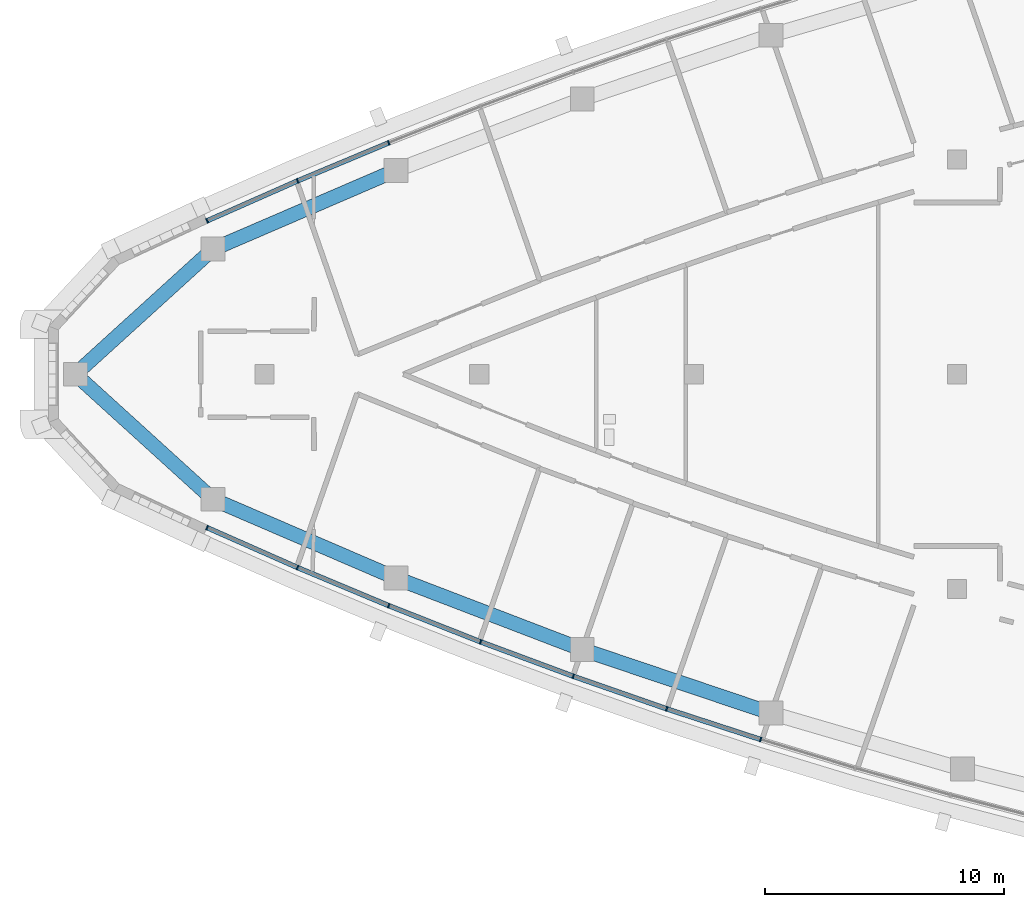
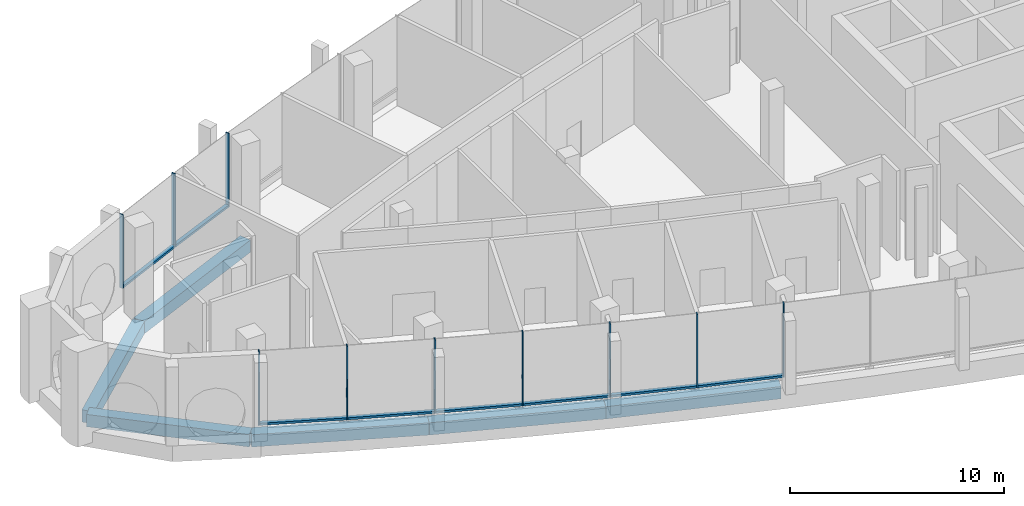
# One storey, part 2 of 15: 18 members, 6 beams, 5 elements without a shape of their own.
"""IFC4 building model written with IfcOpenShell, lengths in metres."""

from ifc_helpers import new_model, si_unit, direction, frame, origin, origin_2d, place, context, subcontext, project, spatial, rectangle, extrude, material, layer, layer_set, material_profile, profile_set, type_object, element, aggregate, save


model = new_model("IFC4")

# Units and contexts
model_context = context("Model", 3, precision=1e-05, world=origin(), true_north=direction((0.0, 1.0)))
body_context = subcontext(model_context, "Body", "Model", "MODEL_VIEW")
ifc_project = project(units=[si_unit("LENGTHUNIT", "METRE"), si_unit("AREAUNIT", "SQUARE_METRE"), si_unit("VOLUMEUNIT", "CUBIC_METRE"), si_unit("PLANEANGLEUNIT", "RADIAN"), si_unit("MASSUNIT", "GRAM", prefix="KILO")], contexts=[model_context])

# Site, building, storey
site_placement = place(None, origin())
site = spatial("IfcSite", under=ifc_project, at=site_placement, CompositionType="ELEMENT")
building_placement = place(site_placement, origin())
building = spatial("IfcBuilding", under=site, at=building_placement, Name="Ostrand Prow Hotel Tower", CompositionType="ELEMENT")
storey_placement = place(building_placement, frame((0.0, 0.0, 313.199951171875)))
storey = spatial("IfcBuildingStorey", under=building, at=storey_placement, Name="C2", CompositionType="ELEMENT", Elevation=313.199951171875)

# Beams
ifc_material_1 = material(Name="Concrete C40/50", Category="concrete")
ifc_material_profile_1 = material_profile(ifc_material_1, rectangle(XDim=0.60009765625, YDim=0.699951171875, at=origin_2d()), Name="RC 600x700")
ifc_profile_set_1 = profile_set([ifc_material_profile_1], Name="Concrete C40/50")
beam_type = type_object("IfcBeamType", Name="Edge beam 600x700 C40/50", PredefinedType="SPANDREL", material=ifc_profile_set_1)
beam_1_placement = place(storey_placement, frame((8.082763671875, 0.0, -0.64990234375), z_axis=(0.740124460758, -0.672469912032, 0.0), x_axis=(0.672469912032, 0.740124460758, 0.0)))
element("IfcBeam", 1, at=beam_1_placement, inside=storey, type_object=beam_type, Name="Edge beam P-S1", PredefinedType="SPANDREL", context=body_context, shape_type="SweptSolid", body=[
    extrude(rectangle(XDim=0.60009765625, YDim=0.699951171875, at=origin_2d()), origin(), (0.0, 0.0, 1.0), 7.787353515625),
])
for number, where, z_axis, x_axis, name in (
    (2, (13.846435546875, -5.23681640625, -0.64990234375), (0.918403788687, -0.39564438695, 0.0), (0.39564438695, 0.918403788687, 0.0), "Edge beam S1-S2"),
    (3, (21.51416015625, -8.5400390625, -0.64990234375), (0.933761753797, -0.357895218111, 0.0), (0.357895218111, 0.933761753797, 0.0), "Edge beam S2-S3"),
    (4, (29.31005859375, -11.528076171875, -0.64990234375), (0.947575089419, -0.319533174981, 0.0), (0.319533174981, 0.947575089419, 0.0), "Edge beam S3-S4"),
    (5, (21.51416015625, 8.5400390625, -0.64990234375), (-0.918403788687, -0.39564438695, 0.0), (0.39564438695, -0.918403788687, 0.0), "Edge beam N5-N6"),
):
    element("IfcBeam", number, at=place(storey_placement, frame(where, z_axis=z_axis, x_axis=x_axis)), inside=storey, type_object=beam_type, Name=name, PredefinedType="SPANDREL", context=body_context, shape_type="SweptSolid", body=[
        extrude(rectangle(XDim=0.60009765625, YDim=0.699951171875, at=origin_2d()), origin(), (0.0, 0.0, 1.0), 8.348876953125),
    ])
beam_2_placement = place(storey_placement, frame((13.846435546875, 5.23681640625, -0.64990234375), z_axis=(-0.740124460758, -0.672469912032, 0.0), x_axis=(0.672469912032, -0.740124460758, 0.0)))
element("IfcBeam", 6, at=beam_2_placement, inside=storey, type_object=beam_type, Name="Edge beam N6-P", PredefinedType="SPANDREL", context=body_context, shape_type="SweptSolid", body=[
    extrude(rectangle(XDim=0.60009765625, YDim=0.699951171875, at=origin_2d()), origin(), (0.0, 0.0, 1.0), 7.787353515625),
])

# Curtain wall, members
ifc_material_2 = material(Name="Insulated glass in bronze anodised frame", Category="glass")
ifc_layer = layer(ifc_material_2, 0.199951171875)
ifc_layer_set = layer_set([ifc_layer], Name="Insulated glass in bronze anodised frame")
curtain_wall_type = type_object("IfcCurtainWallType", Name="Observation and restaurant glazing wall", PredefinedType="NOTDEFINED", material=ifc_layer_set)
curtain_wall_1_placement = place(storey_placement, origin())
curtain_wall_1 = element("IfcCurtainWall", 7, at=curtain_wall_1_placement, inside=storey, type_object=curtain_wall_type, Name="CW6 run CWS1", PredefinedType="NOTDEFINED")
ifc_material_3 = material(Name="Bronze anodised aluminium", Category="aluminium")
ifc_material_profile_2 = material_profile(ifc_material_3, rectangle(XDim=0.199951171875, YDim=0.06005859375, at=origin_2d()), Name="Mullion 60x200 bronze anodised aluminium")
ifc_profile_set_2 = profile_set([ifc_material_profile_2], Name="Bronze anodised aluminium")
member_type_1 = type_object("IfcMemberType", Name="Mullion 60x200 bronze anodised aluminium", PredefinedType="MULLION", material=ifc_profile_set_2)
member_1_placement = place(storey_placement, frame((13.60009765625, -6.423583984375, 0.900146484375), z_axis=(0.0, 0.0, 1.0), x_axis=(0.403939694592, 0.914785615941, 0.0)))
member_1 = element("IfcMember", 8, at=member_1_placement, type_object=member_type_1, Name="CW6 mullion 1", PredefinedType="MULLION", context=body_context, shape_type="SweptSolid", body=[
    extrude(rectangle(XDim=0.199951171875, YDim=0.06005859375, at=origin_2d()), origin(), (0.0, 0.0, 1.0), 4.199951171875),
])
member_2_placement = place(storey_placement, frame((17.386962890625, -8.095947265625, 0.900146484375), z_axis=(0.0, 0.0, 1.0), x_axis=(0.385471263659, 0.922719840955, 0.0)))
member_2 = element("IfcMember", 9, at=member_2_placement, type_object=member_type_1, Name="CW6 mullion 2", PredefinedType="MULLION", context=body_context, shape_type="SweptSolid", body=[
    extrude(rectangle(XDim=0.199951171875, YDim=0.06005859375, at=origin_2d()), origin(), (0.0, 0.0, 1.0), 4.199951171875),
])
member_3_placement = place(storey_placement, frame((21.206787109375, -9.691650390625, 0.900146484375), z_axis=(0.0, 0.0, 1.0), x_axis=(0.385471263659, 0.922719840955, 0.0)))
member_3 = element("IfcMember", 10, at=member_3_placement, type_object=member_type_1, Name="CW6 mullion 3", PredefinedType="MULLION", context=body_context, shape_type="SweptSolid", body=[
    extrude(rectangle(XDim=0.199951171875, YDim=0.06005859375, at=origin_2d()), origin(), (0.0, 0.0, 1.0), 4.199951171875),
])

curtain_wall_2_placement = place(storey_placement, origin())
curtain_wall_2 = element("IfcCurtainWall", 11, at=curtain_wall_2_placement, inside=storey, type_object=curtain_wall_type, Name="CW6 run CWS2", PredefinedType="NOTDEFINED")
member_4_placement = place(storey_placement, frame((25.05810546875, -11.210205078125, 0.900146484375), z_axis=(0.0, 0.0, 1.0), x_axis=(0.348071422738, 0.937468017947, 0.0)))
member_4 = element("IfcMember", 12, at=member_4_placement, type_object=member_type_1, Name="CW6 mullion 2", PredefinedType="MULLION", context=body_context, shape_type="SweptSolid", body=[
    extrude(rectangle(XDim=0.199951171875, YDim=0.06005859375, at=origin_2d()), origin(), (0.0, 0.0, 1.0), 4.199951171875),
])
member_5_placement = place(storey_placement, frame((28.93896484375, -12.6513671875, 0.900146484375), z_axis=(0.0, 0.0, 1.0), x_axis=(0.348071422738, 0.937468017947, 0.0)))
member_5 = element("IfcMember", 13, at=member_5_placement, type_object=member_type_1, Name="CW6 mullion 3", PredefinedType="MULLION", context=body_context, shape_type="SweptSolid", body=[
    extrude(rectangle(XDim=0.199951171875, YDim=0.06005859375, at=origin_2d()), origin(), (0.0, 0.0, 1.0), 4.199951171875),
])

curtain_wall_3_placement = place(storey_placement, origin())
curtain_wall_3 = element("IfcCurtainWall", 14, at=curtain_wall_3_placement, inside=storey, type_object=curtain_wall_type, Name="CW6 run CWS3", PredefinedType="NOTDEFINED")
member_6_placement = place(storey_placement, frame((32.84814453125, -14.013916015625, 0.900146484375), z_axis=(0.0, 0.0, 1.0), x_axis=(0.310110668289, 0.950700464612, 0.0)))
member_6 = element("IfcMember", 15, at=member_6_placement, type_object=member_type_1, Name="CW6 mullion 2", PredefinedType="MULLION", context=body_context, shape_type="SweptSolid", body=[
    extrude(rectangle(XDim=0.199951171875, YDim=0.06005859375, at=origin_2d()), origin(), (0.0, 0.0, 1.0), 4.199951171875),
])
member_7_placement = place(storey_placement, frame((36.78369140625, -15.297607421875, 0.900146484375), z_axis=(0.0, 0.0, 1.0), x_axis=(0.310110668289, 0.950700464612, 0.0)))
member_7 = element("IfcMember", 16, at=member_7_placement, type_object=member_type_1, Name="CW6 mullion 3", PredefinedType="MULLION", context=body_context, shape_type="SweptSolid", body=[
    extrude(rectangle(XDim=0.199951171875, YDim=0.06005859375, at=origin_2d()), origin(), (0.0, 0.0, 1.0), 4.199951171875),
])

# Curtain wall, member
curtain_wall_4_placement = place(storey_placement, origin())
curtain_wall_4 = element("IfcCurtainWall", 17, at=curtain_wall_4_placement, inside=storey, type_object=curtain_wall_type, Name="CW6 run CWN4", PredefinedType="NOTDEFINED")
member_8_placement = place(storey_placement, frame((21.206787109375, 9.691650390625, 0.900146484375), z_axis=(0.0, 0.0, 1.0), x_axis=(0.366845465248, -0.930281895249, 0.0)))
member_8 = element("IfcMember", 18, at=member_8_placement, type_object=member_type_1, Name="CW6 mullion 3", PredefinedType="MULLION", context=body_context, shape_type="SweptSolid", body=[
    extrude(rectangle(XDim=0.199951171875, YDim=0.06005859375, at=origin_2d()), origin(), (0.0, 0.0, 1.0), 4.199951171875),
])
aggregate(curtain_wall_4, [member_8])

# Curtain wall, members
curtain_wall_5_placement = place(storey_placement, origin())
curtain_wall_5 = element("IfcCurtainWall", 19, at=curtain_wall_5_placement, inside=storey, type_object=curtain_wall_type, Name="CW6 run CWN5", PredefinedType="NOTDEFINED")
member_9_placement = place(storey_placement, frame((17.386962890625, 8.095947265625, 0.900146484375), z_axis=(0.0, 0.0, 1.0), x_axis=(0.403939694592, -0.914785615941, 0.0)))
member_9 = element("IfcMember", 20, at=member_9_placement, type_object=member_type_1, Name="CW6 mullion 2", PredefinedType="MULLION", context=body_context, shape_type="SweptSolid", body=[
    extrude(rectangle(XDim=0.199951171875, YDim=0.06005859375, at=origin_2d()), origin(), (0.0, 0.0, 1.0), 4.199951171875),
])
member_10_placement = place(storey_placement, frame((13.60009765625, 6.423583984375, 0.900146484375), z_axis=(0.0, 0.0, 1.0), x_axis=(0.403939694592, -0.914785615941, 0.0)))
member_10 = element("IfcMember", 21, at=member_10_placement, type_object=member_type_1, Name="CW6 mullion 3", PredefinedType="MULLION", context=body_context, shape_type="SweptSolid", body=[
    extrude(rectangle(XDim=0.199951171875, YDim=0.06005859375, at=origin_2d()), origin(), (0.0, 0.0, 1.0), 4.199951171875),
])

# Member
ifc_material_4 = material(Name="Bronze anodised aluminium", Category="aluminium")
ifc_material_profile_3 = material_profile(ifc_material_4, rectangle(XDim=0.199951171875, YDim=0.1201171875, at=origin_2d()), Name="Transom 120x200 bronze anodised aluminium")
ifc_profile_set_3 = profile_set([ifc_material_profile_3], Name="Bronze anodised aluminium")
member_type_2 = type_object("IfcMemberType", Name="Transom 120x200 bronze anodised aluminium", PredefinedType="USERDEFINED", material=ifc_profile_set_3)
member_11_placement = place(storey_placement, frame((13.62744140625, -6.435791015625, 0.9599609375), z_axis=(0.914791011182, -0.403927475991, 0.0), x_axis=(0.403927475991, 0.914791011182, 0.0)))
member_11 = element("IfcMember", 22, at=member_11_placement, type_object=member_type_2, Name="CW6 transom 1.1", ObjectType="TRANSOM", PredefinedType="USERDEFINED", context=body_context, shape_type="SweptSolid", body=[
    extrude(rectangle(XDim=0.199951171875, YDim=0.1201171875, at=origin_2d()), origin(), (0.0, 0.0, 1.0), 4.079833984375),
])

member_12_placement = place(storey_placement, frame((17.414794921875, -8.107421875, 0.9599609375), z_axis=(0.922706465875, -0.385503278628, 0.0), x_axis=(0.385503278628, 0.922706465875, 0.0)))
member_12 = element("IfcMember", 23, at=member_12_placement, type_object=member_type_2, Name="CW6 transom 2.1", ObjectType="TRANSOM", PredefinedType="USERDEFINED", context=body_context, shape_type="SweptSolid", body=[
    extrude(rectangle(XDim=0.199951171875, YDim=0.1201171875, at=origin_2d()), origin(), (0.0, 0.0, 1.0), 4.079833984375),
])

aggregate(curtain_wall_1, [member_1, member_2, member_3, member_11, member_12])

member_13_placement = place(storey_placement, frame((21.23486328125, -9.70263671875, 0.9599609375), z_axis=(0.930289613186, -0.366825892759, 0.0), x_axis=(0.366825892759, 0.930289613186, 0.0)))
member_13 = element("IfcMember", 24, at=member_13_placement, type_object=member_type_2, Name="CW6 transom 1.1", ObjectType="TRANSOM", PredefinedType="USERDEFINED", context=body_context, shape_type="SweptSolid", body=[
    extrude(rectangle(XDim=0.199951171875, YDim=0.1201171875, at=origin_2d()), origin(), (0.0, 0.0, 1.0), 4.079833984375),
])

member_14_placement = place(storey_placement, frame((25.086181640625, -11.220703125, 0.9599609375), z_axis=(0.937460424566, -0.348091873465, 0.0), x_axis=(0.348091873465, 0.937460424566, 0.0)))
member_14 = element("IfcMember", 25, at=member_14_placement, type_object=member_type_2, Name="CW6 transom 2.1", ObjectType="TRANSOM", PredefinedType="USERDEFINED", context=body_context, shape_type="SweptSolid", body=[
    extrude(rectangle(XDim=0.199951171875, YDim=0.1201171875, at=origin_2d()), origin(), (0.0, 0.0, 1.0), 4.079833984375),
])

aggregate(curtain_wall_2, [member_4, member_5, member_13, member_14])

member_15_placement = place(storey_placement, frame((28.96728515625, -12.6611328125, 0.9599609375), z_axis=(0.944268108385, -0.329177367822, 0.0), x_axis=(0.329177367822, 0.944268108385, 0.0)))
member_15 = element("IfcMember", 26, at=member_15_placement, type_object=member_type_2, Name="CW6 transom 1.1", ObjectType="TRANSOM", PredefinedType="USERDEFINED", context=body_context, shape_type="SweptSolid", body=[
    extrude(rectangle(XDim=0.199951171875, YDim=0.1201171875, at=origin_2d()), origin(), (0.0, 0.0, 1.0), 4.079833984375),
])

member_16_placement = place(storey_placement, frame((32.876708984375, -14.023193359375, 0.9599609375), z_axis=(0.950704145978, -0.310099382165, 0.0), x_axis=(0.310099382165, 0.950704145978, 0.0)))
member_16 = element("IfcMember", 27, at=member_16_placement, type_object=member_type_2, Name="CW6 transom 2.1", ObjectType="TRANSOM", PredefinedType="USERDEFINED", context=body_context, shape_type="SweptSolid", body=[
    extrude(rectangle(XDim=0.199951171875, YDim=0.1201171875, at=origin_2d()), origin(), (0.0, 0.0, 1.0), 4.079833984375),
])

aggregate(curtain_wall_3, [member_6, member_7, member_15, member_16])

member_17_placement = place(storey_placement, frame((21.17919921875, 9.68017578125, 0.9599609375), z_axis=(-0.922706465875, -0.385503278628, 0.0), x_axis=(0.385503278628, -0.922706465875, 0.0)))
member_17 = element("IfcMember", 28, at=member_17_placement, type_object=member_type_2, Name="CW6 transom 1.1", ObjectType="TRANSOM", PredefinedType="USERDEFINED", context=body_context, shape_type="SweptSolid", body=[
    extrude(rectangle(XDim=0.199951171875, YDim=0.1201171875, at=origin_2d()), origin(), (0.0, 0.0, 1.0), 4.079833984375),
])

member_18_placement = place(storey_placement, frame((17.359619140625, 8.083740234375, 0.9599609375), z_axis=(-0.914791011182, -0.403927475991, 0.0), x_axis=(0.403927475991, -0.914791011182, 0.0)))
member_18 = element("IfcMember", 29, at=member_18_placement, type_object=member_type_2, Name="CW6 transom 2.1", ObjectType="TRANSOM", PredefinedType="USERDEFINED", context=body_context, shape_type="SweptSolid", body=[
    extrude(rectangle(XDim=0.199951171875, YDim=0.1201171875, at=origin_2d()), origin(), (0.0, 0.0, 1.0), 4.079833984375),
])

aggregate(curtain_wall_5, [member_9, member_10, member_17, member_18])

save(model, "model.ifc")
